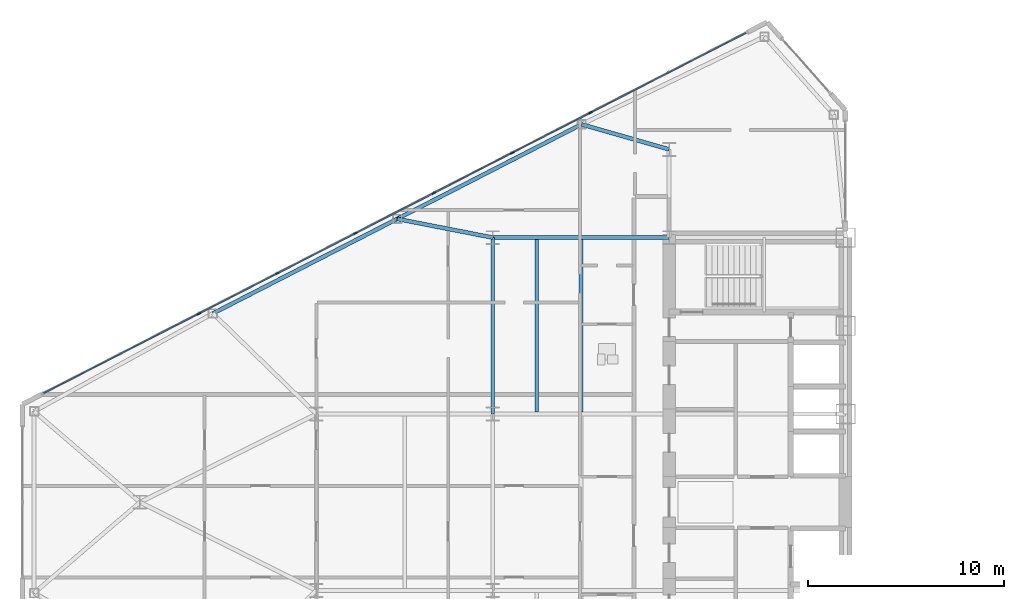
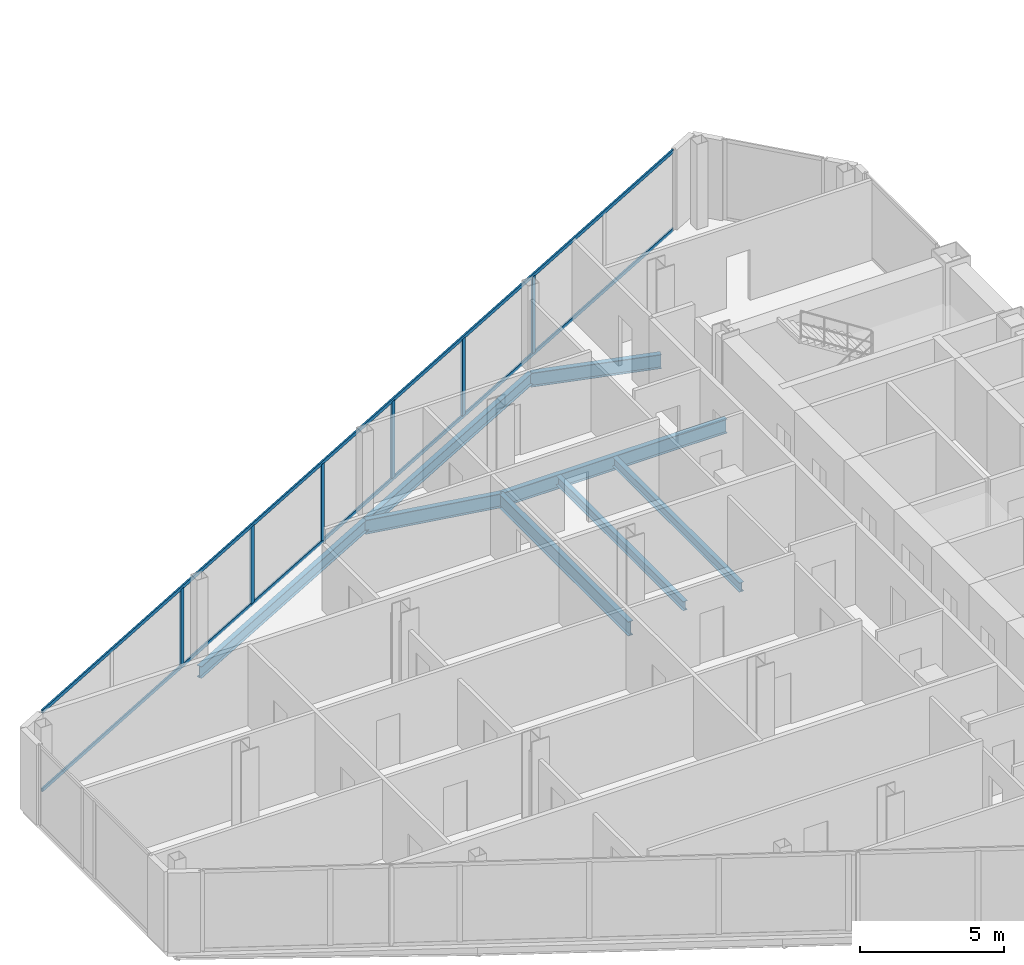
# One storey, part 6 of 24: 8 beams, 8 members, 1 element without a shape of its own.
"""IFC4 building model written with IfcOpenShell, lengths in metres."""

from ifc_helpers import new_model, si_unit, direction, frame, origin, origin_2d, place, context, subcontext, project, spatial, rectangle, i_section, extrude, source, transform, mapped, material, layer, layer_set, material_profile, profile_set, type_object, type_shapes, element, aggregate, save


model = new_model("IFC4")

# Units and contexts
model_context = context("Model", 3, precision=1e-05, world=origin(), true_north=direction((0.0, 1.0)))
body_context = subcontext(model_context, "Body", "Model", "MODEL_VIEW")
ifc_project = project(units=[si_unit("LENGTHUNIT", "METRE"), si_unit("AREAUNIT", "SQUARE_METRE"), si_unit("VOLUMEUNIT", "CUBIC_METRE"), si_unit("PLANEANGLEUNIT", "RADIAN"), si_unit("MASSUNIT", "GRAM", prefix="KILO")], contexts=[model_context])

# Site, building, storey
site_placement = place(None, origin())
site = spatial("IfcSite", under=ifc_project, at=site_placement, CompositionType="ELEMENT")
building_placement = place(site_placement, origin())
building = spatial("IfcBuilding", under=site, at=building_placement, Name="Seokmaru Belvedere", CompositionType="ELEMENT")
storey_placement = place(building_placement, frame((0.0, 0.0, 114.0)))
storey = spatial("IfcBuildingStorey", under=building, at=storey_placement, Name="L30", CompositionType="ELEMENT", Elevation=114.0)

# Beams
ifc_material_1 = material(Name="Steel SM355 (355 MPa)", Category="steel")
ifc_material_profile_1 = material_profile(ifc_material_1, i_section(OverallWidth=0.199951171875, OverallDepth=0.60009765625, WebThickness=0.010986328125, FlangeThickness=0.01708984375, at=origin_2d()), Name="H-600x200x11x17")
ifc_profile_set_1 = profile_set([ifc_material_profile_1], Name="Steel SM355 (355 MPa)")
beam_type_1 = type_object("IfcBeamType", Name="Primary Floor Girder H-600", PredefinedType="BEAM", material=ifc_profile_set_1)
shared_shape_1 = source(origin(), body_context, "Body", "SweptSolid", [
    extrude(i_section(OverallWidth=0.199951171875, OverallDepth=0.60009765625, WebThickness=0.010986328125, FlangeThickness=0.01708984375, at=origin_2d()), origin(), (0.0, 0.0, 1.0), 9.0),
])
for number, where, z_axis, x_axis, name in (
    (1, (-45.5, 4.5, -0.52001953125), (0.0, 1.0, 0.0), (-1.0, 0.0, 0.0), "L30 W Interior Grid Girder 3"),
    (2, (-45.5, 13.5, -0.52001953125), (1.0, 0.0, 0.0), (0.0, 1.0, 0.0), "L30 W Wing Primary Girder 4"),
):
    element("IfcBeam", number, at=place(storey_placement, frame(where, z_axis=z_axis, x_axis=x_axis)), inside=storey, type_object=beam_type_1, Name=name, PredefinedType="BEAM", context=body_context, shape_type="MappedRepresentation", body=[
        mapped(shared_shape_1, transform((0.0, 0.0, 0.0), scale=1.0)),
    ])
ifc_material_profile_2 = material_profile(ifc_material_1, i_section(OverallWidth=0.18505859375, OverallDepth=0.389892578125, WebThickness=0.008056640625, FlangeThickness=0.011962890625, at=origin_2d()), Name="H-390x185x8x12")
ifc_profile_set_2 = profile_set([ifc_material_profile_2], Name="Steel SM355 (355 MPa)")
beam_type_2 = type_object("IfcBeamType", Name="Secondary Floor Joist H-350", PredefinedType="JOIST", material=ifc_profile_set_2)
shared_shape_2 = source(origin(), body_context, "Body", "SweptSolid", [
    extrude(i_section(OverallWidth=0.18505859375, OverallDepth=0.389892578125, WebThickness=0.008056640625, FlangeThickness=0.011962890625, at=origin_2d()), origin(), (0.0, 0.0, 1.0), 8.7900390625),
])
type_shapes(beam_type_2, [shared_shape_2])
for number, where, z_axis, x_axis, name in (
    (3, (-43.25, 4.60498046875, -0.4150390625), (0.0, 1.0, 0.0), (-1.0, 0.0, 0.0), "L30 W Wing Inner Secondary Joist 2"),
    (4, (-41.0, 4.60498046875, -0.4150390625), (0.0, 1.0, 0.0), (-1.0, 0.0, 0.0), "L30 W Secondary Floor Joist 3"),
):
    element("IfcBeam", number, at=place(storey_placement, frame(where, z_axis=z_axis, x_axis=x_axis)), inside=storey, type_object=beam_type_2, Name=name, PredefinedType="JOIST", context=body_context, shape_type="MappedRepresentation", body=[
        mapped(shared_shape_2, transform((0.0, 0.0, 0.0), scale=1.0)),
    ])
ifc_material_profile_3 = material_profile(ifc_material_1, i_section(OverallWidth=0.199951171875, OverallDepth=0.5, WebThickness=0.010009765625, FlangeThickness=0.01611328125, at=origin_2d()), Name="H-500x200x10x16")
ifc_profile_set_3 = profile_set([ifc_material_profile_3], Name="Steel SM355 (355 MPa)")
beam_type_3 = type_object("IfcBeamType", Name="Perimeter Spandrel Beam H-500", PredefinedType="SPANDREL", material=ifc_profile_set_3)
shared_shape_3 = source(origin(), body_context, "Body", "SweptSolid", [
    extrude(i_section(OverallWidth=0.199951171875, OverallDepth=0.5, WebThickness=0.010009765625, FlangeThickness=0.01611328125, at=origin_2d()), origin(), (0.0, 0.0, 1.0), 10.56689453125),
])
type_shapes(beam_type_3, [shared_shape_3])
for number, where, z_axis, x_axis, name in (
    (5, (-40.975830078125, 19.277587890625, -0.469970703125), (-0.889701972758, -0.45654178305, 0.0), (0.45654178305, -0.889701972758, 0.0), "L30 W Faceted Flank Spandrel N-2"),
    (6, (-50.377197265625, 14.453369140625, -0.469970703125), (-0.889692588006, -0.456560071455, 0.0), (0.456560071455, -0.889692588006, 0.0), "L30 W Faceted Flank Spandrel N-3"),
):
    element("IfcBeam", number, at=place(storey_placement, frame(where, z_axis=z_axis, x_axis=x_axis)), inside=storey, type_object=beam_type_3, Name=name, PredefinedType="SPANDREL", context=body_context, shape_type="MappedRepresentation", body=[
        mapped(shared_shape_3, transform((0.0, 0.0, 0.0), scale=1.0)),
    ])
shared_shape_4 = source(origin(), body_context, "Body", "SweptSolid", [
    extrude(i_section(OverallWidth=0.199951171875, OverallDepth=0.60009765625, WebThickness=0.010986328125, FlangeThickness=0.01708984375, at=origin_2d()), origin(), (0.0, 0.0, 1.0), 4.654541015625),
])
beam_1_placement = place(storey_placement, frame((-40.975830078125, 19.277587890625, -0.52001953125), z_axis=(0.961593192625, -0.274478654721, 0.0), x_axis=(0.274478654721, 0.961593192625, 0.0)))
element("IfcBeam", 7, at=beam_1_placement, inside=storey, type_object=beam_type_1, Name="L30 W Flank Radial Floor Girder N-1", PredefinedType="BEAM", context=body_context, shape_type="MappedRepresentation", body=[
    mapped(shared_shape_4, transform((0.0, 0.0, 0.0), scale=1.0)),
])
shared_shape_5 = source(origin(), body_context, "Body", "SweptSolid", [
    extrude(i_section(OverallWidth=0.199951171875, OverallDepth=0.60009765625, WebThickness=0.010986328125, FlangeThickness=0.01708984375, at=origin_2d()), origin(), (0.0, 0.0, 1.0), 4.969482421875),
])
type_shapes(beam_type_1, [shared_shape_1, shared_shape_4, shared_shape_5])
beam_2_placement = place(storey_placement, frame((-50.377197265625, 14.453369140625, -0.52001953125), z_axis=(0.98142544456, -0.19184393858, 0.0), x_axis=(0.19184393858, 0.98142544456, 0.0)))
element("IfcBeam", 8, at=beam_2_placement, inside=storey, type_object=beam_type_1, Name="L30 W Flank Radial Floor Girder N-2", PredefinedType="BEAM", context=body_context, shape_type="MappedRepresentation", body=[
    mapped(shared_shape_5, transform((0.0, 0.0, 0.0), scale=1.0)),
])

# Curtain wall, members
ifc_material_2 = material(Name="Bronze Triple Insulating Glass", Category="glass")
ifc_layer = layer(ifc_material_2, 0.195068359375)
ifc_layer_set = layer_set([ifc_layer], Name="Bronze Triple Insulating Glass")
curtain_wall_type = type_object("IfcCurtainWallType", Name="Sky-Lobby and Mid-Rise Curtain Wall System CW-4", PredefinedType="NOTDEFINED", material=ifc_layer_set)
curtain_wall_placement = place(storey_placement, origin())
curtain_wall = element("IfcCurtainWall", 9, at=curtain_wall_placement, inside=storey, type_object=curtain_wall_type, Name="L30 Curtain Wall WF3", PredefinedType="NOTDEFINED")
ifc_material_3 = material(Name="Anodised Bronze Aluminium", Category="aluminium")
ifc_material_profile_4 = material_profile(ifc_material_3, rectangle(XDim=0.070068359375, YDim=0.195068359375, at=origin_2d()), Name="CW-M-70x195")
ifc_profile_set_4 = profile_set([ifc_material_profile_4], Name="Anodised Bronze Aluminium")
member_type_1 = type_object("IfcMemberType", Name="Bronze Unitised Mullion 70x195", PredefinedType="MULLION", material=ifc_profile_set_4)
shared_shape_6 = source(origin(), body_context, "Body", "SweptSolid", [
    extrude(rectangle(XDim=0.070068359375, YDim=0.195068359375, at=origin_2d()), origin(), (0.0, 0.0, 1.0), 3.25),
])
type_shapes(member_type_1, [shared_shape_6])
member_1_placement = place(storey_placement, frame((-40.5126953125, 19.875, 0.06494140625), z_axis=(0.0, 0.0, 1.0), x_axis=(0.456554528263, -0.889695432562, 0.0)))
member_1 = element("IfcMember", 10, at=member_1_placement, type_object=member_type_1, Name="CW:L30:WF3 Mullion 3", PredefinedType="MULLION", context=body_context, shape_type="MappedRepresentation", body=[
    mapped(shared_shape_6, transform((0.0, 0.0, 0.0), scale=1.0)),
])
member_2_placement = place(storey_placement, frame((-44.5078125, 17.824951171875, 0.06494140625), z_axis=(0.0, 0.0, 1.0), x_axis=(0.456554528263, -0.889695432562, 0.0)))
member_2 = element("IfcMember", 11, at=member_2_placement, type_object=member_type_1, Name="CW:L30:WF3 Mullion 4", PredefinedType="MULLION", context=body_context, shape_type="MappedRepresentation", body=[
    mapped(shared_shape_6, transform((0.0, 0.0, 0.0), scale=1.0)),
])
member_3_placement = place(storey_placement, frame((-48.502685546875, 15.77490234375, 0.06494140625), z_axis=(0.0, 0.0, 1.0), x_axis=(0.456554528263, -0.889695432562, 0.0)))
member_3 = element("IfcMember", 12, at=member_3_placement, type_object=member_type_1, Name="CW:L30:WF3 Mullion 5", PredefinedType="MULLION", context=body_context, shape_type="MappedRepresentation", body=[
    mapped(shared_shape_6, transform((0.0, 0.0, 0.0), scale=1.0)),
])
member_4_placement = place(storey_placement, frame((-52.497314453125, 13.72509765625, 0.06494140625), z_axis=(0.0, 0.0, 1.0), x_axis=(0.456554528263, -0.889695432562, 0.0)))
member_4 = element("IfcMember", 13, at=member_4_placement, type_object=member_type_1, Name="CW:L30:WF3 Mullion 6", PredefinedType="MULLION", context=body_context, shape_type="MappedRepresentation", body=[
    mapped(shared_shape_6, transform((0.0, 0.0, 0.0), scale=1.0)),
])
member_5_placement = place(storey_placement, frame((-56.4921875, 11.675048828125, 0.06494140625), z_axis=(0.0, 0.0, 1.0), x_axis=(0.456554528263, -0.889695432562, 0.0)))
member_5 = element("IfcMember", 14, at=member_5_placement, type_object=member_type_1, Name="CW:L30:WF3 Mullion 7", PredefinedType="MULLION", context=body_context, shape_type="MappedRepresentation", body=[
    mapped(shared_shape_6, transform((0.0, 0.0, 0.0), scale=1.0)),
])
member_6_placement = place(storey_placement, frame((-60.4873046875, 9.625, 0.06494140625), z_axis=(0.0, 0.0, 1.0), x_axis=(0.456554528263, -0.889695432562, 0.0)))
member_6 = element("IfcMember", 15, at=member_6_placement, type_object=member_type_1, Name="CW:L30:WF3 Mullion 8", PredefinedType="MULLION", context=body_context, shape_type="MappedRepresentation", body=[
    mapped(shared_shape_6, transform((0.0, 0.0, 0.0), scale=1.0)),
])
ifc_material_profile_5 = material_profile(ifc_material_3, rectangle(XDim=0.06494140625, YDim=0.14990234375, at=origin_2d()), Name="CW-T-65x150")
ifc_profile_set_5 = profile_set([ifc_material_profile_5], Name="Anodised Bronze Aluminium")
member_type_2 = type_object("IfcMemberType", Name="Bronze Unitised Transom 65x150", PredefinedType="USERDEFINED", material=ifc_profile_set_5)
shared_shape_7 = source(origin(), body_context, "Body", "SweptSolid", [
    extrude(rectangle(XDim=0.06494140625, YDim=0.14990234375, at=origin_2d()), origin(), (0.0, 0.0, 1.0), 40.271240234375),
])
type_shapes(member_type_2, [shared_shape_7])
member_7_placement = place(storey_placement, frame((-32.58544921875, 23.943115234375, 0.032470703125), z_axis=(-0.889693089107, -0.456559094965, 0.0), x_axis=(0.456559094965, -0.889693089107, 0.0)))
member_7 = element("IfcMember", 16, at=member_7_placement, type_object=member_type_2, Name="CW:L30:WF3 Continuous Transom 1", ObjectType="TRANSOM", PredefinedType="USERDEFINED", context=body_context, shape_type="MappedRepresentation", body=[
    mapped(shared_shape_7, transform((0.0, 0.0, 0.0), scale=1.0)),
])
member_8_placement = place(storey_placement, frame((-32.58544921875, 23.943115234375, 3.347412109375), z_axis=(-0.889693089107, -0.456559094965, 0.0), x_axis=(0.456559094965, -0.889693089107, 0.0)))
member_8 = element("IfcMember", 17, at=member_8_placement, type_object=member_type_2, Name="CW:L30:WF3 Continuous Transom 2", ObjectType="TRANSOM", PredefinedType="USERDEFINED", context=body_context, shape_type="MappedRepresentation", body=[
    mapped(shared_shape_7, transform((0.0, 0.0, 0.0), scale=1.0)),
])
aggregate(curtain_wall, [member_1, member_2, member_3, member_4, member_5, member_6, member_7, member_8])

save(model, "model.ifc")
